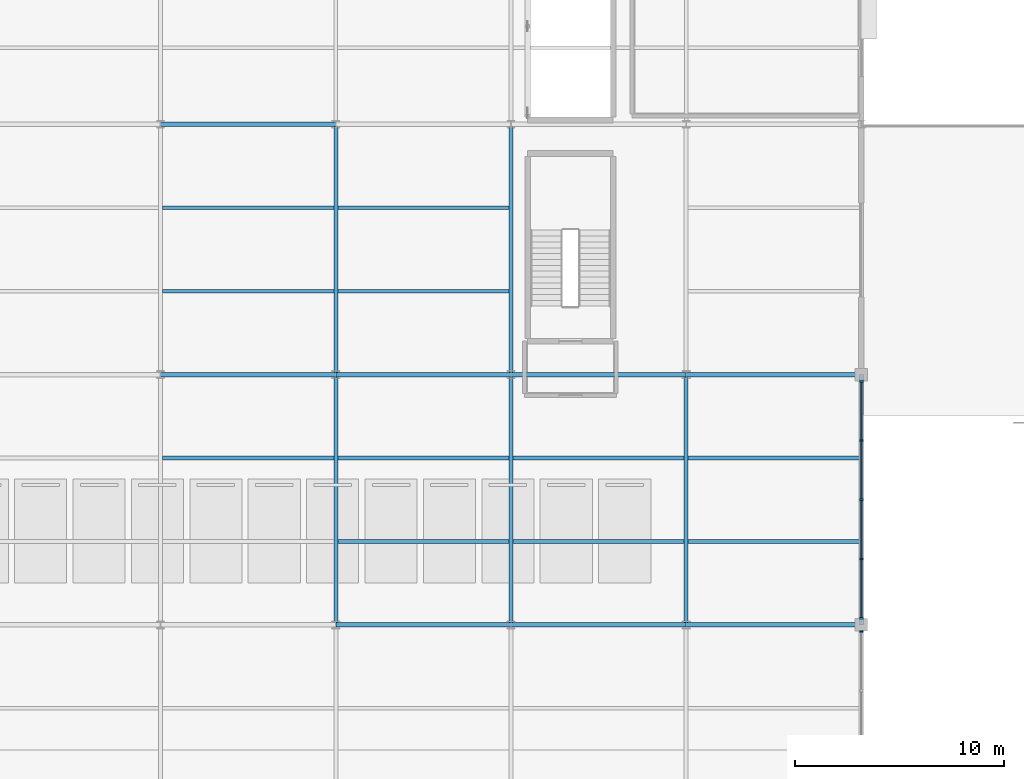
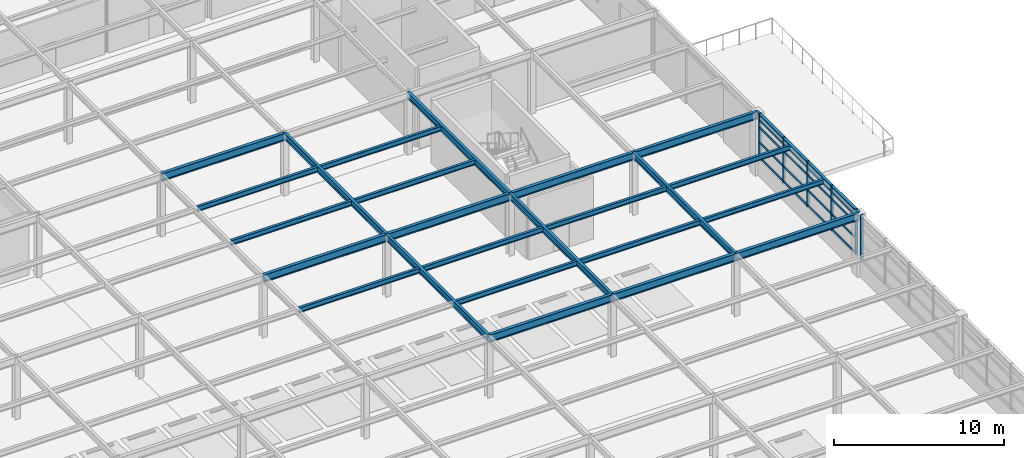
# One storey, part 42 of 82: 25 beams, 22 members, 2 elements without a shape of their own.
"""IFC4 building model written with IfcOpenShell, lengths in metres."""

import ifcopenshell
import ifcopenshell.guid

model = None  # the IFC model being written
_history = None  # IfcOwnerHistory: only IFC2X3 demands one
_inside = {}  # id of a spatial element -> (the spatial element, [elements in it])
_under = {}  # id of a project, library or spatial element -> (it, [spatial elements below it])
_declared = {}  # id of a project -> (the project, [libraries it declares])
_typed = {}  # id of a type object -> (the type object, [elements of that type])
_made_of = {}  # id of a material, layer set ... -> (it, [elements and type objects made of it])


def new_model(schema):
    """Start an empty IFC model of exactly this schema.

    Asked for "IFC4X3", IfcOpenShell would pick the latest addendum, in which some entities
    have other attributes; the version numbers below select the first issue.
    IFC2X3 requires an IfcOwnerHistory on every rooted entity: one is made here for all.
    """
    global model, _history
    if schema == "IFC4X3":
        model = ifcopenshell.file(schema_version=(4, 3, 0, 0))
    else:
        model = ifcopenshell.file(schema=schema)
    _inside.clear()
    _under.clear()
    _declared.clear()
    _typed.clear()
    _made_of.clear()
    _history = None
    if model.schema == "IFC2X3":
        org = make("IfcOrganization", Name="unknown")
        user = make(
            "IfcPersonAndOrganization",
            ThePerson=make("IfcPerson", FamilyName="unknown"),
            TheOrganization=org,
        )
        app = make(
            "IfcApplication",
            ApplicationDeveloper=org,
            Version="unknown",
            ApplicationFullName="unknown",
            ApplicationIdentifier="unknown",
        )
        _history = make(
            "IfcOwnerHistory",
            OwningUser=user,
            OwningApplication=app,
            ChangeAction="ADDED",
            CreationDate=0,
        )
    return model


def make(cls, **values):
    """One entity of the class cls with the attributes given. An attribute that is None is left unset."""
    return model.create_entity(
        cls, **{name: value for name, value in values.items() if value is not None}
    )


def rooted(cls, **values):
    """An entity with a GlobalId (a new one), such as an element, a storey or a relation."""
    return make(cls, GlobalId=ifcopenshell.guid.new(), OwnerHistory=_history, **values)


def si_unit(unit_type, name, prefix=None):
    """IfcSIUnit, for example si_unit("LENGTHUNIT", "METRE", prefix="MILLI")."""
    return make("IfcSIUnit", UnitType=unit_type, Prefix=prefix, Name=name)


def assignment(units):
    """IfcUnitAssignment: the units of a project."""
    return None if units is None else make("IfcUnitAssignment", Units=units)


def point(xyz):
    """IfcCartesianPoint."""
    return None if xyz is None else make("IfcCartesianPoint", Coordinates=xyz)


def direction(xyz):
    """IfcDirection."""
    return None if xyz is None else make("IfcDirection", DirectionRatios=xyz)


def frame(location, z_axis=None, x_axis=None):
    """IfcAxis2Placement3D, a coordinate frame: its origin and axes. An axis left out is left unset."""
    return make(
        "IfcAxis2Placement3D",
        Location=point(location),
        Axis=direction(z_axis),
        RefDirection=direction(x_axis),
    )


def frame_2d(location, x_axis=None):
    """IfcAxis2Placement2D, a coordinate frame in the plane: its origin and x axis."""
    return make(
        "IfcAxis2Placement2D", Location=point(location), RefDirection=direction(x_axis)
    )


def origin():
    """The frame at (0, 0, 0) with its axes left unset."""
    return frame((0.0, 0.0, 0.0))


def origin_2d():
    """The frame at (0, 0) in the plane with its x axis left unset."""
    return frame_2d((0.0, 0.0))


def place(relative_to, where):
    """IfcLocalPlacement: puts the frame where relative to a parent placement (None: the world)."""
    return make(
        "IfcLocalPlacement", PlacementRelTo=relative_to, RelativePlacement=where
    )


def context(
    kind, dimensions, precision=None, world=None, true_north=None, identifier=None
):
    """IfcGeometricRepresentationContext, for example the 3D "Model" context."""
    return make(
        "IfcGeometricRepresentationContext",
        ContextIdentifier=identifier,
        ContextType=kind,
        CoordinateSpaceDimension=dimensions,
        Precision=precision,
        WorldCoordinateSystem=world,
        TrueNorth=true_north,
    )


def subcontext(parent, identifier, kind, view, scale=None):
    """IfcGeometricRepresentationSubContext, for example "Body" below "Model"."""
    return make(
        "IfcGeometricRepresentationSubContext",
        ContextIdentifier=identifier,
        ContextType=kind,
        ParentContext=parent,
        TargetScale=scale,
        TargetView=view,
    )


def project(units=None, contexts=None):
    """IfcProject with its units and contexts."""
    return rooted(
        "IfcProject",
        Name="project",
        RepresentationContexts=contexts,
        UnitsInContext=assignment(units),
    )


def spatial(cls, under=None, at=None, **own):
    """A site, building, storey or space (cls), placed at a placement, below another one or the project."""
    s = rooted(cls, ObjectPlacement=at, **own)
    if under is not None:
        _under.setdefault(under.id(), (under, []))[1].append(s)
    return s


def profile(cls, at=None, kind="AREA", **sizes):
    """A parametric profile (cls). Its sizes go by their IFC names, for example OverallWidth=200.0."""
    return make(cls, ProfileType=kind, Position=at, **sizes)


def rectangle(**sizes):
    """IfcRectangleProfileDef."""
    return profile("IfcRectangleProfileDef", **sizes)


def i_section(**sizes):
    """IfcIShapeProfileDef."""
    return profile("IfcIShapeProfileDef", **sizes)


def extrude(swept, where, along, depth):
    """IfcExtrudedAreaSolid: the profile swept, set in the frame where, extruded along a direction by depth."""
    return make(
        "IfcExtrudedAreaSolid",
        SweptArea=swept,
        Position=where,
        ExtrudedDirection=direction(along),
        Depth=depth,
    )


def shape(context_of_items, identifier, shape_type, items):
    """IfcShapeRepresentation: the items that make up one representation, for example the "Body"."""
    return make(
        "IfcShapeRepresentation",
        ContextOfItems=context_of_items,
        RepresentationIdentifier=identifier,
        RepresentationType=shape_type,
        Items=items,
    )


def material(Name=None, Category=None):
    """IfcMaterial."""
    return make("IfcMaterial", Name=Name, Category=Category)


def layer(
    of_material, thickness, ventilated=None, Name=None, Category=None, Priority=None
):
    """IfcMaterialLayer: one layer of a wall or slab, of a material (None: an air gap)."""
    return make(
        "IfcMaterialLayer",
        Material=of_material,
        LayerThickness=thickness,
        IsVentilated=ventilated,
        Name=Name,
        Category=Category,
        Priority=Priority,
    )


def layer_set(layers, Name=None):
    """IfcMaterialLayerSet."""
    return make("IfcMaterialLayerSet", MaterialLayers=layers, LayerSetName=Name)


def material_profile(
    of_material, cross_section, Name=None, Category=None, Priority=None
):
    """IfcMaterialProfile: a cross section and its material."""
    return make(
        "IfcMaterialProfile",
        Name=Name,
        Material=of_material,
        Profile=cross_section,
        Priority=Priority,
        Category=Category,
    )


def profile_set(profiles, Name=None, composite=None):
    """IfcMaterialProfileSet."""
    return make(
        "IfcMaterialProfileSet",
        Name=Name,
        MaterialProfiles=profiles,
        CompositeProfile=composite,
    )


def made_of(thing, what):
    """Note that an element or type object is made of a material, layer set ...; save() writes the relation."""
    if what is not None:
        _made_of.setdefault(what.id(), (what, []))[1].append(thing)
    return thing


def type_object(cls, material=None, **own):
    """A type object (cls), such as IfcWallType, which elements share."""
    return made_of(rooted(cls, **own), material)


def element(
    cls,
    number,
    at=None,
    inside=None,
    cuts=None,
    type_object=None,
    material=None,
    context=None,
    identifier="Body",
    shape_type=None,
    held_by="IfcProductDefinitionShape",
    body=None,
    shapes=None,
    **own,
):
    """One element of the class cls, such as IfcWall. Its Tag is "e" and its number.

    at: its placement. inside: the storey or other place that contains it. cuts: it is an
    opening in that element (IfcRelVoidsElement). A single representation is given by context,
    identifier, shape_type and body (its items); several are given by shapes. held_by: the class
    of the entity that holds the representations. save() writes the other relations.
    """
    e = rooted(cls, Tag="e%d" % number, ObjectPlacement=at, **own)
    if body is not None:
        shapes = [shape(context, identifier, shape_type, body)]
    if shapes is not None:
        e.Representation = make(held_by, Representations=shapes)
    if inside is not None:
        _inside.setdefault(inside.id(), (inside, []))[1].append(e)
    if cuts is not None:
        rooted(
            "IfcRelVoidsElement", RelatingBuildingElement=cuts, RelatedOpeningElement=e
        )
    if type_object is not None:
        _typed.setdefault(type_object.id(), (type_object, []))[1].append(e)
    return made_of(e, material)


def aggregate(whole, parts):
    """IfcRelAggregates: a whole, such as a stair, and the parts it consists of."""
    return rooted("IfcRelAggregates", RelatingObject=whole, RelatedObjects=parts)


def save(model, path):
    """Write the relations noted so far, then the file.

    IfcRelAggregates (storeys below a building ...), IfcRelContainedInSpatialStructure (elements
    in a storey), IfcRelDefinesByType, IfcRelAssociatesMaterial and IfcRelDeclares: one each for
    every whole, place, type object, material and project.
    """
    for whole, parts in _under.values():
        aggregate(whole, parts)
    for where, things in _inside.values():
        rooted(
            "IfcRelContainedInSpatialStructure",
            RelatedElements=things,
            RelatingStructure=where,
        )
    for kind, things in _typed.values():
        rooted("IfcRelDefinesByType", RelatedObjects=things, RelatingType=kind)
    for what, things in _made_of.values():
        rooted("IfcRelAssociatesMaterial", RelatedObjects=things, RelatingMaterial=what)
    for by, libraries in _declared.values():
        rooted("IfcRelDeclares", RelatingContext=by, RelatedDefinitions=libraries)
    model.write(path)


model = new_model("IFC4")

# Units and contexts
model_context = context("Model", 3, precision=1e-05, world=origin(), true_north=direction((0.0, 1.0)))
body_context = subcontext(model_context, "Body", "Model", "MODEL_VIEW")
ifc_project = project(units=[si_unit("LENGTHUNIT", "METRE"), si_unit("AREAUNIT", "SQUARE_METRE"), si_unit("VOLUMEUNIT", "CUBIC_METRE"), si_unit("PLANEANGLEUNIT", "RADIAN"), si_unit("MASSUNIT", "GRAM", prefix="KILO")], contexts=[model_context])

# Site, building, storey
site_placement = place(None, origin())
site = spatial("IfcSite", under=ifc_project, at=site_placement, CompositionType="ELEMENT")
building_placement = place(site_placement, origin())
building = spatial("IfcBuilding", under=site, at=building_placement, Name="Sitalva Quay Ferry Terminal", CompositionType="ELEMENT")
storey_placement = place(building_placement, frame((0.0, 0.0, 5.39990234375)))
storey = spatial("IfcBuildingStorey", under=building, at=storey_placement, Name="L02", CompositionType="ELEMENT", Elevation=5.39990234375)

# Beams
ifc_material_1 = material(Name="Structural Steel S355JR", Category="steel")
ifc_material_profile_1 = material_profile(ifc_material_1, i_section(OverallWidth=0.19091796875, OverallDepth=0.4599609375, WebThickness=0.010009765625, FlangeThickness=0.01611328125, FilletRadius=0.013916015625, at=origin_2d()), Name="W460x82")
ifc_profile_set_1 = profile_set([ifc_material_profile_1], Name="Structural Steel S355JR")
beam_type_1 = type_object("IfcBeamType", Name="Beam_W460x82", PredefinedType="BEAM", material=ifc_profile_set_1)
for number, where, z_axis, x_axis, name in (
    (1, (142.800048828125, 54.0, 4.22021484375), (0.0, 1.0, 0.0), (-1.0, 0.0, 0.0), "L02 Primary Y girder 0845"),
    (2, (142.800048828125, 66.0, 4.22021484375), (0.0, 1.0, 0.0), (-1.0, 0.0, 0.0), "L02 Primary Y girder 0846"),
    (3, (151.199951171875, 54.0, 4.22021484375), (0.0, 1.0, 0.0), (-1.0, 0.0, 0.0), "L02 Primary Y girder 0850"),
    (4, (151.199951171875, 66.0, 4.22021484375), (0.0, 1.0, 0.0), (-1.0, 0.0, 0.0), "L02 Primary Y girder 0851"),
    (5, (159.60009765625, 54.0, 4.22021484375), (0.0, 1.0, 0.0), (-1.0, 0.0, 0.0), "L02 Primary Y girder 0855"),
    (6, (168.0, 54.0, 4.22021484375), (0.0, 1.0, 0.0), (-1.0, 0.0, 0.0), "L02 Primary Y girder 0860"),
):
    element("IfcBeam", number, at=place(storey_placement, frame(where, z_axis=z_axis, x_axis=x_axis)), inside=storey, type_object=beam_type_1, Name=name, PredefinedType="BEAM", context=body_context, shape_type="SweptSolid", body=[
        extrude(i_section(OverallWidth=0.19091796875, OverallDepth=0.4599609375, WebThickness=0.010009765625, FlangeThickness=0.01611328125, FilletRadius=0.013916015625, at=origin_2d()), origin(), (0.0, 0.0, 1.0), 12.0),
    ])
ifc_material_2 = material(Name="Structural Steel S355JR", Category="steel")
ifc_material_profile_2 = material_profile(ifc_material_2, i_section(OverallWidth=0.2119140625, OverallDepth=0.5439453125, WebThickness=0.01318359375, FlangeThickness=0.021240234375, FilletRadius=0.014892578125, at=origin_2d()), Name="W530x123")
ifc_profile_set_2 = profile_set([ifc_material_profile_2], Name="Structural Steel S355JR")
beam_type_2 = type_object("IfcBeamType", Name="Girder_W530x123", PredefinedType="USERDEFINED", material=ifc_profile_set_2)
beam_1_placement = place(storey_placement, frame((142.800048828125, 54.0, 4.177978515625), z_axis=(1.0, 0.0, 0.0), x_axis=(0.0, 1.0, 0.0)))
element("IfcBeam", 7, at=beam_1_placement, inside=storey, type_object=beam_type_2, Name="L02 Primary X girder 0786", ObjectType="GIRDER", PredefinedType="USERDEFINED", context=body_context, shape_type="SweptSolid", body=[
    extrude(i_section(OverallWidth=0.2119140625, OverallDepth=0.5439453125, WebThickness=0.01318359375, FlangeThickness=0.021240234375, FilletRadius=0.014892578125, at=origin_2d()), origin(), (0.0, 0.0, 1.0), 8.39990234375),
])
beam_2_placement = place(storey_placement, frame((151.199951171875, 54.0, 4.177978515625), z_axis=(1.0, 0.0, 0.0), x_axis=(0.0, 1.0, 0.0)))
element("IfcBeam", 8, at=beam_2_placement, inside=storey, type_object=beam_type_2, Name="L02 Primary X girder 0787", ObjectType="GIRDER", PredefinedType="USERDEFINED", context=body_context, shape_type="SweptSolid", body=[
    extrude(i_section(OverallWidth=0.2119140625, OverallDepth=0.5439453125, WebThickness=0.01318359375, FlangeThickness=0.021240234375, FilletRadius=0.014892578125, at=origin_2d()), origin(), (0.0, 0.0, 1.0), 8.400146484375),
])
beam_3_placement = place(storey_placement, frame((159.60009765625, 54.0, 4.177978515625), z_axis=(1.0, 0.0, 0.0), x_axis=(0.0, 1.0, 0.0)))
element("IfcBeam", 9, at=beam_3_placement, inside=storey, type_object=beam_type_2, Name="L02 Primary X girder 0788", ObjectType="GIRDER", PredefinedType="USERDEFINED", context=body_context, shape_type="SweptSolid", body=[
    extrude(i_section(OverallWidth=0.2119140625, OverallDepth=0.5439453125, WebThickness=0.01318359375, FlangeThickness=0.021240234375, FilletRadius=0.014892578125, at=origin_2d()), origin(), (0.0, 0.0, 1.0), 8.39990234375),
])
beam_4_placement = place(storey_placement, frame((134.39990234375, 66.0, 4.177978515625), z_axis=(1.0, 0.0, 0.0), x_axis=(0.0, 1.0, 0.0)))
element("IfcBeam", 10, at=beam_4_placement, inside=storey, type_object=beam_type_2, Name="L02 Primary X girder 0795", ObjectType="GIRDER", PredefinedType="USERDEFINED", context=body_context, shape_type="SweptSolid", body=[
    extrude(i_section(OverallWidth=0.2119140625, OverallDepth=0.5439453125, WebThickness=0.01318359375, FlangeThickness=0.021240234375, FilletRadius=0.014892578125, at=origin_2d()), origin(), (0.0, 0.0, 1.0), 8.400146484375),
])
beam_5_placement = place(storey_placement, frame((142.800048828125, 66.0, 4.177978515625), z_axis=(1.0, 0.0, 0.0), x_axis=(0.0, 1.0, 0.0)))
element("IfcBeam", 11, at=beam_5_placement, inside=storey, type_object=beam_type_2, Name="L02 Primary X girder 0796", ObjectType="GIRDER", PredefinedType="USERDEFINED", context=body_context, shape_type="SweptSolid", body=[
    extrude(i_section(OverallWidth=0.2119140625, OverallDepth=0.5439453125, WebThickness=0.01318359375, FlangeThickness=0.021240234375, FilletRadius=0.014892578125, at=origin_2d()), origin(), (0.0, 0.0, 1.0), 8.39990234375),
])
beam_6_placement = place(storey_placement, frame((151.199951171875, 66.0, 4.177978515625), z_axis=(1.0, 0.0, 0.0), x_axis=(0.0, 1.0, 0.0)))
element("IfcBeam", 12, at=beam_6_placement, inside=storey, type_object=beam_type_2, Name="L02 Primary X girder 0797", ObjectType="GIRDER", PredefinedType="USERDEFINED", context=body_context, shape_type="SweptSolid", body=[
    extrude(i_section(OverallWidth=0.2119140625, OverallDepth=0.5439453125, WebThickness=0.01318359375, FlangeThickness=0.021240234375, FilletRadius=0.014892578125, at=origin_2d()), origin(), (0.0, 0.0, 1.0), 8.400146484375),
])
beam_7_placement = place(storey_placement, frame((159.60009765625, 66.0, 4.177978515625), z_axis=(1.0, 0.0, 0.0), x_axis=(0.0, 1.0, 0.0)))
element("IfcBeam", 13, at=beam_7_placement, inside=storey, type_object=beam_type_2, Name="L02 Primary X girder 0798", ObjectType="GIRDER", PredefinedType="USERDEFINED", context=body_context, shape_type="SweptSolid", body=[
    extrude(i_section(OverallWidth=0.2119140625, OverallDepth=0.5439453125, WebThickness=0.01318359375, FlangeThickness=0.021240234375, FilletRadius=0.014892578125, at=origin_2d()), origin(), (0.0, 0.0, 1.0), 8.39990234375),
])
beam_8_placement = place(storey_placement, frame((134.39990234375, 78.0, 4.177978515625), z_axis=(1.0, 0.0, 0.0), x_axis=(0.0, 1.0, 0.0)))
element("IfcBeam", 14, at=beam_8_placement, inside=storey, type_object=beam_type_2, Name="L02 Primary X girder 0805", ObjectType="GIRDER", PredefinedType="USERDEFINED", context=body_context, shape_type="SweptSolid", body=[
    extrude(i_section(OverallWidth=0.2119140625, OverallDepth=0.5439453125, WebThickness=0.01318359375, FlangeThickness=0.021240234375, FilletRadius=0.014892578125, at=origin_2d()), origin(), (0.0, 0.0, 1.0), 8.400146484375),
])
ifc_material_3 = material(Name="Structural Steel S355JR", Category="steel")
ifc_material_profile_3 = material_profile(ifc_material_3, i_section(OverallWidth=0.172119140625, OverallDepth=0.35791015625, WebThickness=0.0078125, FlangeThickness=0.01318359375, FilletRadius=0.011962890625, at=origin_2d()), Name="W360x57")
ifc_profile_set_3 = profile_set([ifc_material_profile_3], Name="Structural Steel S355JR")
beam_type_3 = type_object("IfcBeamType", Name="Joist_W360x57", PredefinedType="JOIST", material=ifc_profile_set_3)
for number, where, z_axis, x_axis, name in (
    (15, (142.8955078125, 58.0, 4.27099609375), (1.0, 0.0, 0.0), (0.0, 1.0, 0.0), "L02 Secondary joist 0927"),
    (16, (151.29541015625, 58.0, 4.27099609375), (1.0, 0.0, 0.0), (0.0, 1.0, 0.0), "L02 Secondary joist 0928"),
    (17, (159.695556640625, 58.0, 4.27099609375), (1.0, 0.0, 0.0), (0.0, 1.0, 0.0), "L02 Secondary joist 0929"),
    (18, (134.49560546875, 62.0, 4.27099609375), (1.0, 0.0, 0.0), (0.0, 1.0, 0.0), "L02 Secondary joist 0936"),
    (19, (142.8955078125, 62.0, 4.27099609375), (1.0, 0.0, 0.0), (0.0, 1.0, 0.0), "L02 Secondary joist 0937"),
    (20, (151.29541015625, 62.0, 4.27099609375), (1.0, 0.0, 0.0), (0.0, 1.0, 0.0), "L02 Secondary joist 0938"),
    (21, (159.695556640625, 62.0, 4.27099609375), (1.0, 0.0, 0.0), (0.0, 1.0, 0.0), "L02 Secondary joist 0939"),
    (22, (134.49560546875, 70.0, 4.27099609375), (1.0, 0.0, 0.0), (0.0, 1.0, 0.0), "L02 Secondary joist 0946"),
    (23, (142.8955078125, 70.0, 4.27099609375), (1.0, 0.0, 0.0), (0.0, 1.0, 0.0), "L02 Secondary joist 0947"),
    (24, (134.49560546875, 74.0, 4.27099609375), (1.0, 0.0, 0.0), (0.0, 1.0, 0.0), "L02 Secondary joist 0955"),
    (25, (142.8955078125, 74.0, 4.27099609375), (1.0, 0.0, 0.0), (0.0, 1.0, 0.0), "L02 Secondary joist 0956"),
):
    element("IfcBeam", number, at=place(storey_placement, frame(where, z_axis=z_axis, x_axis=x_axis)), inside=storey, type_object=beam_type_3, Name=name, PredefinedType="JOIST", context=body_context, shape_type="SweptSolid", body=[
        extrude(i_section(OverallWidth=0.172119140625, OverallDepth=0.35791015625, WebThickness=0.0078125, FlangeThickness=0.01318359375, FilletRadius=0.011962890625, at=origin_2d()), origin(), (0.0, 0.0, 1.0), 8.208984375),
    ])

# Curtain wall, member
ifc_material_4 = material(Name="Anodised Aluminium & Low-E Glazing", Category="aluminium")
ifc_layer = layer(ifc_material_4, 0.159912109375)
ifc_layer_set = layer_set([ifc_layer], Name="Anodised Aluminium & Low-E Glazing")
curtain_wall_type = type_object("IfcCurtainWallType", Name="CW_Coastal_Louvred", PredefinedType="USERDEFINED", material=ifc_layer_set)
curtain_wall_1_placement = place(storey_placement, origin())
curtain_wall_1 = element("IfcCurtainWall", 26, at=curtain_wall_1_placement, inside=storey, type_object=curtain_wall_type, Name="L02 vehicle deck east ventilation screen (CW-L02-097)", ObjectType="CURTAIN_WALL", PredefinedType="USERDEFINED")
ifc_material_5 = material(Name="Anodised Aluminium 6063-T6", Category="aluminium")
ifc_material_profile_4 = material_profile(ifc_material_5, rectangle(XDim=0.080078125, YDim=0.18505859375, at=origin_2d()), Name="ALU80x185")
ifc_profile_set_4 = profile_set([ifc_material_profile_4], Name="Anodised Aluminium 6063-T6")
member_type_1 = type_object("IfcMemberType", Name="Mullion_Alu_80x185", PredefinedType="MULLION", material=ifc_profile_set_4)
member_1_placement = place(storey_placement, frame((168.0, 53.679931640625, 1.2001953125), z_axis=(0.0, 0.0, 1.0), x_axis=(0.0, 1.0, 0.0)))
member_1 = element("IfcMember", 27, at=member_1_placement, type_object=member_type_1, Name="CW-L02-097-M4", PredefinedType="MULLION", context=body_context, shape_type="SweptSolid", body=[
    extrude(rectangle(XDim=0.080078125, YDim=0.18505859375, at=origin_2d()), origin(), (0.0, 0.0, 1.0), 3.25),
])
aggregate(curtain_wall_1, [member_1])

# Curtain wall, members
curtain_wall_2_placement = place(storey_placement, origin())
curtain_wall_2 = element("IfcCurtainWall", 28, at=curtain_wall_2_placement, inside=storey, type_object=curtain_wall_type, Name="L02 vehicle deck east ventilation screen (CW-L02-099)", ObjectType="CURTAIN_WALL", PredefinedType="USERDEFINED")
member_2_placement = place(storey_placement, frame((168.0, 54.320068359375, 1.2001953125), z_axis=(0.0, 0.0, 1.0), x_axis=(0.0, 1.0, 0.0)))
member_2 = element("IfcMember", 29, at=member_2_placement, type_object=member_type_1, Name="CW-L02-099-M0", PredefinedType="MULLION", context=body_context, shape_type="SweptSolid", body=[
    extrude(rectangle(XDim=0.080078125, YDim=0.18505859375, at=origin_2d()), origin(), (0.0, 0.0, 1.0), 3.25),
])
member_3_placement = place(storey_placement, frame((168.0, 57.159912109375, 1.2001953125), z_axis=(0.0, 0.0, 1.0), x_axis=(0.0, 1.0, 0.0)))
member_3 = element("IfcMember", 30, at=member_3_placement, type_object=member_type_1, Name="CW-L02-099-M1", PredefinedType="MULLION", context=body_context, shape_type="SweptSolid", body=[
    extrude(rectangle(XDim=0.080078125, YDim=0.18505859375, at=origin_2d()), origin(), (0.0, 0.0, 1.0), 3.25),
])
member_4_placement = place(storey_placement, frame((168.0, 60.0, 1.2001953125), z_axis=(0.0, 0.0, 1.0), x_axis=(0.0, 1.0, 0.0)))
member_4 = element("IfcMember", 31, at=member_4_placement, type_object=member_type_1, Name="CW-L02-099-M2", PredefinedType="MULLION", context=body_context, shape_type="SweptSolid", body=[
    extrude(rectangle(XDim=0.080078125, YDim=0.18505859375, at=origin_2d()), origin(), (0.0, 0.0, 1.0), 3.25),
])
member_5_placement = place(storey_placement, frame((168.0, 62.840087890625, 1.2001953125), z_axis=(0.0, 0.0, 1.0), x_axis=(0.0, 1.0, 0.0)))
member_5 = element("IfcMember", 32, at=member_5_placement, type_object=member_type_1, Name="CW-L02-099-M3", PredefinedType="MULLION", context=body_context, shape_type="SweptSolid", body=[
    extrude(rectangle(XDim=0.080078125, YDim=0.18505859375, at=origin_2d()), origin(), (0.0, 0.0, 1.0), 3.25),
])
member_6_placement = place(storey_placement, frame((168.0, 65.679931640625, 1.2001953125), z_axis=(0.0, 0.0, 1.0), x_axis=(0.0, 1.0, 0.0)))
member_6 = element("IfcMember", 33, at=member_6_placement, type_object=member_type_1, Name="CW-L02-099-M4", PredefinedType="MULLION", context=body_context, shape_type="SweptSolid", body=[
    extrude(rectangle(XDim=0.080078125, YDim=0.18505859375, at=origin_2d()), origin(), (0.0, 0.0, 1.0), 3.25),
])
ifc_material_6 = material(Name="Anodised Aluminium 6063-T6", Category="aluminium")
ifc_material_profile_5 = material_profile(ifc_material_6, rectangle(XDim=0.074951171875, YDim=0.14990234375, at=origin_2d()), Name="ALU75x150")
ifc_profile_set_5 = profile_set([ifc_material_profile_5], Name="Anodised Aluminium 6063-T6")
member_type_2 = type_object("IfcMemberType", Name="Transom_Alu_75x140", PredefinedType="MULLION", material=ifc_profile_set_5)
member_7_placement = place(storey_placement, frame((168.0, 54.360107421875, 1.275146484375), z_axis=(0.0, 1.0, 0.0), x_axis=(-1.0, 0.0, 0.0)))
member_7 = element("IfcMember", 34, at=member_7_placement, type_object=member_type_2, Name="CW-L02-099-T0-0", ObjectType="TRANSOM", PredefinedType="USERDEFINED", context=body_context, shape_type="SweptSolid", body=[
    extrude(rectangle(XDim=0.074951171875, YDim=0.14990234375, at=origin_2d()), origin(), (0.0, 0.0, 1.0), 2.760009765625),
])
member_8_placement = place(storey_placement, frame((168.0, 54.360107421875, 2.3583984375), z_axis=(0.0, 1.0, 0.0), x_axis=(-1.0, 0.0, 0.0)))
member_8 = element("IfcMember", 35, at=member_8_placement, type_object=member_type_2, Name="CW-L02-099-T0-1", ObjectType="TRANSOM", PredefinedType="USERDEFINED", context=body_context, shape_type="SweptSolid", body=[
    extrude(rectangle(XDim=0.074951171875, YDim=0.14990234375, at=origin_2d()), origin(), (0.0, 0.0, 1.0), 2.760009765625),
])
member_9_placement = place(storey_placement, frame((168.0, 54.360107421875, 3.441650390625), z_axis=(0.0, 1.0, 0.0), x_axis=(-1.0, 0.0, 0.0)))
member_9 = element("IfcMember", 36, at=member_9_placement, type_object=member_type_2, Name="CW-L02-099-T0-2", ObjectType="TRANSOM", PredefinedType="USERDEFINED", context=body_context, shape_type="SweptSolid", body=[
    extrude(rectangle(XDim=0.074951171875, YDim=0.14990234375, at=origin_2d()), origin(), (0.0, 0.0, 1.0), 2.760009765625),
])
member_10_placement = place(storey_placement, frame((168.0, 54.360107421875, 4.375), z_axis=(0.0, 1.0, 0.0), x_axis=(-1.0, 0.0, 0.0)))
member_10 = element("IfcMember", 37, at=member_10_placement, type_object=member_type_2, Name="CW-L02-099-T0-3", ObjectType="TRANSOM", PredefinedType="USERDEFINED", context=body_context, shape_type="SweptSolid", body=[
    extrude(rectangle(XDim=0.074951171875, YDim=0.14990234375, at=origin_2d()), origin(), (0.0, 0.0, 1.0), 2.760009765625),
])
member_11_placement = place(storey_placement, frame((168.0, 57.199951171875, 1.275146484375), z_axis=(0.0, 1.0, 0.0), x_axis=(-1.0, 0.0, 0.0)))
member_11 = element("IfcMember", 38, at=member_11_placement, type_object=member_type_2, Name="CW-L02-099-T1-0", ObjectType="TRANSOM", PredefinedType="USERDEFINED", context=body_context, shape_type="SweptSolid", body=[
    extrude(rectangle(XDim=0.074951171875, YDim=0.14990234375, at=origin_2d()), origin(), (0.0, 0.0, 1.0), 2.760009765625),
])
member_12_placement = place(storey_placement, frame((168.0, 57.199951171875, 2.3583984375), z_axis=(0.0, 1.0, 0.0), x_axis=(-1.0, 0.0, 0.0)))
member_12 = element("IfcMember", 39, at=member_12_placement, type_object=member_type_2, Name="CW-L02-099-T1-1", ObjectType="TRANSOM", PredefinedType="USERDEFINED", context=body_context, shape_type="SweptSolid", body=[
    extrude(rectangle(XDim=0.074951171875, YDim=0.14990234375, at=origin_2d()), origin(), (0.0, 0.0, 1.0), 2.760009765625),
])
member_13_placement = place(storey_placement, frame((168.0, 57.199951171875, 3.441650390625), z_axis=(0.0, 1.0, 0.0), x_axis=(-1.0, 0.0, 0.0)))
member_13 = element("IfcMember", 40, at=member_13_placement, type_object=member_type_2, Name="CW-L02-099-T1-2", ObjectType="TRANSOM", PredefinedType="USERDEFINED", context=body_context, shape_type="SweptSolid", body=[
    extrude(rectangle(XDim=0.074951171875, YDim=0.14990234375, at=origin_2d()), origin(), (0.0, 0.0, 1.0), 2.760009765625),
])
member_14_placement = place(storey_placement, frame((168.0, 57.199951171875, 4.375), z_axis=(0.0, 1.0, 0.0), x_axis=(-1.0, 0.0, 0.0)))
member_14 = element("IfcMember", 41, at=member_14_placement, type_object=member_type_2, Name="CW-L02-099-T1-3", ObjectType="TRANSOM", PredefinedType="USERDEFINED", context=body_context, shape_type="SweptSolid", body=[
    extrude(rectangle(XDim=0.074951171875, YDim=0.14990234375, at=origin_2d()), origin(), (0.0, 0.0, 1.0), 2.760009765625),
])
member_15_placement = place(storey_placement, frame((168.0, 60.0400390625, 1.275146484375), z_axis=(0.0, 1.0, 0.0), x_axis=(-1.0, 0.0, 0.0)))
member_15 = element("IfcMember", 42, at=member_15_placement, type_object=member_type_2, Name="CW-L02-099-T2-0", ObjectType="TRANSOM", PredefinedType="USERDEFINED", context=body_context, shape_type="SweptSolid", body=[
    extrude(rectangle(XDim=0.074951171875, YDim=0.14990234375, at=origin_2d()), origin(), (0.0, 0.0, 1.0), 2.760009765625),
])
member_16_placement = place(storey_placement, frame((168.0, 60.0400390625, 2.3583984375), z_axis=(0.0, 1.0, 0.0), x_axis=(-1.0, 0.0, 0.0)))
member_16 = element("IfcMember", 43, at=member_16_placement, type_object=member_type_2, Name="CW-L02-099-T2-1", ObjectType="TRANSOM", PredefinedType="USERDEFINED", context=body_context, shape_type="SweptSolid", body=[
    extrude(rectangle(XDim=0.074951171875, YDim=0.14990234375, at=origin_2d()), origin(), (0.0, 0.0, 1.0), 2.760009765625),
])
member_17_placement = place(storey_placement, frame((168.0, 60.0400390625, 3.441650390625), z_axis=(0.0, 1.0, 0.0), x_axis=(-1.0, 0.0, 0.0)))
member_17 = element("IfcMember", 44, at=member_17_placement, type_object=member_type_2, Name="CW-L02-099-T2-2", ObjectType="TRANSOM", PredefinedType="USERDEFINED", context=body_context, shape_type="SweptSolid", body=[
    extrude(rectangle(XDim=0.074951171875, YDim=0.14990234375, at=origin_2d()), origin(), (0.0, 0.0, 1.0), 2.760009765625),
])
member_18_placement = place(storey_placement, frame((168.0, 60.0400390625, 4.375), z_axis=(0.0, 1.0, 0.0), x_axis=(-1.0, 0.0, 0.0)))
member_18 = element("IfcMember", 45, at=member_18_placement, type_object=member_type_2, Name="CW-L02-099-T2-3", ObjectType="TRANSOM", PredefinedType="USERDEFINED", context=body_context, shape_type="SweptSolid", body=[
    extrude(rectangle(XDim=0.074951171875, YDim=0.14990234375, at=origin_2d()), origin(), (0.0, 0.0, 1.0), 2.760009765625),
])
member_19_placement = place(storey_placement, frame((168.0, 62.8798828125, 1.275146484375), z_axis=(0.0, 1.0, 0.0), x_axis=(-1.0, 0.0, 0.0)))
member_19 = element("IfcMember", 46, at=member_19_placement, type_object=member_type_2, Name="CW-L02-099-T3-0", ObjectType="TRANSOM", PredefinedType="USERDEFINED", context=body_context, shape_type="SweptSolid", body=[
    extrude(rectangle(XDim=0.074951171875, YDim=0.14990234375, at=origin_2d()), origin(), (0.0, 0.0, 1.0), 2.760009765625),
])
member_20_placement = place(storey_placement, frame((168.0, 62.8798828125, 2.3583984375), z_axis=(0.0, 1.0, 0.0), x_axis=(-1.0, 0.0, 0.0)))
member_20 = element("IfcMember", 47, at=member_20_placement, type_object=member_type_2, Name="CW-L02-099-T3-1", ObjectType="TRANSOM", PredefinedType="USERDEFINED", context=body_context, shape_type="SweptSolid", body=[
    extrude(rectangle(XDim=0.074951171875, YDim=0.14990234375, at=origin_2d()), origin(), (0.0, 0.0, 1.0), 2.760009765625),
])
member_21_placement = place(storey_placement, frame((168.0, 62.8798828125, 3.441650390625), z_axis=(0.0, 1.0, 0.0), x_axis=(-1.0, 0.0, 0.0)))
member_21 = element("IfcMember", 48, at=member_21_placement, type_object=member_type_2, Name="CW-L02-099-T3-2", ObjectType="TRANSOM", PredefinedType="USERDEFINED", context=body_context, shape_type="SweptSolid", body=[
    extrude(rectangle(XDim=0.074951171875, YDim=0.14990234375, at=origin_2d()), origin(), (0.0, 0.0, 1.0), 2.760009765625),
])
member_22_placement = place(storey_placement, frame((168.0, 62.8798828125, 4.375), z_axis=(0.0, 1.0, 0.0), x_axis=(-1.0, 0.0, 0.0)))
member_22 = element("IfcMember", 49, at=member_22_placement, type_object=member_type_2, Name="CW-L02-099-T3-3", ObjectType="TRANSOM", PredefinedType="USERDEFINED", context=body_context, shape_type="SweptSolid", body=[
    extrude(rectangle(XDim=0.074951171875, YDim=0.14990234375, at=origin_2d()), origin(), (0.0, 0.0, 1.0), 2.760009765625),
])
aggregate(curtain_wall_2, [member_2, member_3, member_4, member_5, member_6, member_7, member_8, member_9, member_10, member_11, member_12, member_13, member_14, member_15, member_16, member_17, member_18, member_19, member_20, member_21, member_22])

save(model, "model.ifc")
